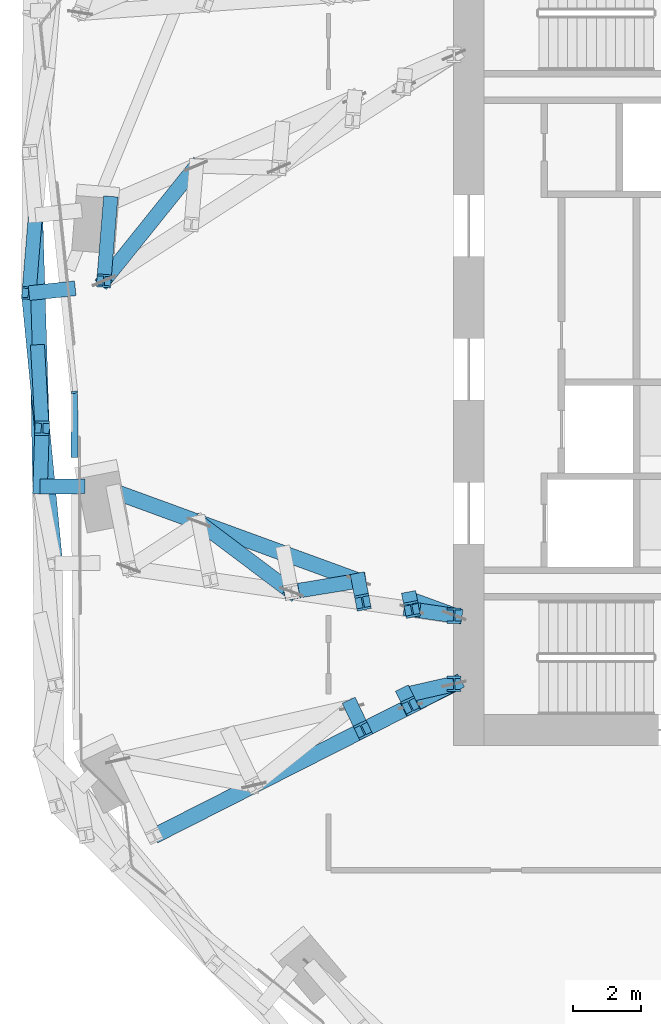
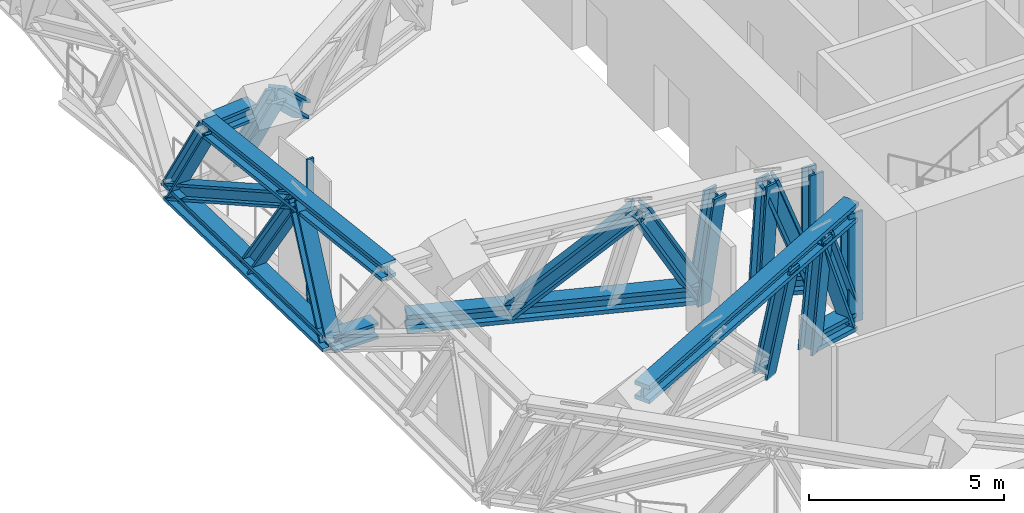
# One storey, part 6 of 27: 26 members, 2 elements without a shape of their own.
"""IFC4 building model written with IfcOpenShell, lengths in metres."""

import ifcopenshell
import ifcopenshell.guid

model = None  # the IFC model being written
_history = None  # IfcOwnerHistory: only IFC2X3 demands one
_inside = {}  # id of a spatial element -> (the spatial element, [elements in it])
_under = {}  # id of a project, library or spatial element -> (it, [spatial elements below it])
_declared = {}  # id of a project -> (the project, [libraries it declares])
_typed = {}  # id of a type object -> (the type object, [elements of that type])
_made_of = {}  # id of a material, layer set ... -> (it, [elements and type objects made of it])


def new_model(schema):
    """Start an empty IFC model of exactly this schema.

    Asked for "IFC4X3", IfcOpenShell would pick the latest addendum, in which some entities
    have other attributes; the version numbers below select the first issue.
    IFC2X3 requires an IfcOwnerHistory on every rooted entity: one is made here for all.
    """
    global model, _history
    if schema == "IFC4X3":
        model = ifcopenshell.file(schema_version=(4, 3, 0, 0))
    else:
        model = ifcopenshell.file(schema=schema)
    _inside.clear()
    _under.clear()
    _declared.clear()
    _typed.clear()
    _made_of.clear()
    _history = None
    if model.schema == "IFC2X3":
        org = make("IfcOrganization", Name="unknown")
        user = make(
            "IfcPersonAndOrganization",
            ThePerson=make("IfcPerson", FamilyName="unknown"),
            TheOrganization=org,
        )
        app = make(
            "IfcApplication",
            ApplicationDeveloper=org,
            Version="unknown",
            ApplicationFullName="unknown",
            ApplicationIdentifier="unknown",
        )
        _history = make(
            "IfcOwnerHistory",
            OwningUser=user,
            OwningApplication=app,
            ChangeAction="ADDED",
            CreationDate=0,
        )
    return model


def make(cls, **values):
    """One entity of the class cls with the attributes given. An attribute that is None is left unset."""
    return model.create_entity(
        cls, **{name: value for name, value in values.items() if value is not None}
    )


def rooted(cls, **values):
    """An entity with a GlobalId (a new one), such as an element, a storey or a relation."""
    return make(cls, GlobalId=ifcopenshell.guid.new(), OwnerHistory=_history, **values)


def si_unit(unit_type, name, prefix=None):
    """IfcSIUnit, for example si_unit("LENGTHUNIT", "METRE", prefix="MILLI")."""
    return make("IfcSIUnit", UnitType=unit_type, Prefix=prefix, Name=name)


def assignment(units):
    """IfcUnitAssignment: the units of a project."""
    return None if units is None else make("IfcUnitAssignment", Units=units)


def point(xyz):
    """IfcCartesianPoint."""
    return None if xyz is None else make("IfcCartesianPoint", Coordinates=xyz)


def direction(xyz):
    """IfcDirection."""
    return None if xyz is None else make("IfcDirection", DirectionRatios=xyz)


def frame(location, z_axis=None, x_axis=None):
    """IfcAxis2Placement3D, a coordinate frame: its origin and axes. An axis left out is left unset."""
    return make(
        "IfcAxis2Placement3D",
        Location=point(location),
        Axis=direction(z_axis),
        RefDirection=direction(x_axis),
    )


def frame_2d(location, x_axis=None):
    """IfcAxis2Placement2D, a coordinate frame in the plane: its origin and x axis."""
    return make(
        "IfcAxis2Placement2D", Location=point(location), RefDirection=direction(x_axis)
    )


def origin():
    """The frame at (0, 0, 0) with its axes left unset."""
    return frame((0.0, 0.0, 0.0))


def origin_2d():
    """The frame at (0, 0) in the plane with its x axis left unset."""
    return frame_2d((0.0, 0.0))


def place(relative_to, where):
    """IfcLocalPlacement: puts the frame where relative to a parent placement (None: the world)."""
    return make(
        "IfcLocalPlacement", PlacementRelTo=relative_to, RelativePlacement=where
    )


def context(
    kind, dimensions, precision=None, world=None, true_north=None, identifier=None
):
    """IfcGeometricRepresentationContext, for example the 3D "Model" context."""
    return make(
        "IfcGeometricRepresentationContext",
        ContextIdentifier=identifier,
        ContextType=kind,
        CoordinateSpaceDimension=dimensions,
        Precision=precision,
        WorldCoordinateSystem=world,
        TrueNorth=true_north,
    )


def subcontext(parent, identifier, kind, view, scale=None):
    """IfcGeometricRepresentationSubContext, for example "Body" below "Model"."""
    return make(
        "IfcGeometricRepresentationSubContext",
        ContextIdentifier=identifier,
        ContextType=kind,
        ParentContext=parent,
        TargetScale=scale,
        TargetView=view,
    )


def project(units=None, contexts=None):
    """IfcProject with its units and contexts."""
    return rooted(
        "IfcProject",
        Name="project",
        RepresentationContexts=contexts,
        UnitsInContext=assignment(units),
    )


def spatial(cls, under=None, at=None, **own):
    """A site, building, storey or space (cls), placed at a placement, below another one or the project."""
    s = rooted(cls, ObjectPlacement=at, **own)
    if under is not None:
        _under.setdefault(under.id(), (under, []))[1].append(s)
    return s


def profile(cls, at=None, kind="AREA", **sizes):
    """A parametric profile (cls). Its sizes go by their IFC names, for example OverallWidth=200.0."""
    return make(cls, ProfileType=kind, Position=at, **sizes)


def rectangle(**sizes):
    """IfcRectangleProfileDef."""
    return profile("IfcRectangleProfileDef", **sizes)


def i_section(**sizes):
    """IfcIShapeProfileDef."""
    return profile("IfcIShapeProfileDef", **sizes)


def extrude(swept, where, along, depth):
    """IfcExtrudedAreaSolid: the profile swept, set in the frame where, extruded along a direction by depth."""
    return make(
        "IfcExtrudedAreaSolid",
        SweptArea=swept,
        Position=where,
        ExtrudedDirection=direction(along),
        Depth=depth,
    )


def shape(context_of_items, identifier, shape_type, items):
    """IfcShapeRepresentation: the items that make up one representation, for example the "Body"."""
    return make(
        "IfcShapeRepresentation",
        ContextOfItems=context_of_items,
        RepresentationIdentifier=identifier,
        RepresentationType=shape_type,
        Items=items,
    )


def material(Name=None, Category=None):
    """IfcMaterial."""
    return make("IfcMaterial", Name=Name, Category=Category)


def material_profile(
    of_material, cross_section, Name=None, Category=None, Priority=None
):
    """IfcMaterialProfile: a cross section and its material."""
    return make(
        "IfcMaterialProfile",
        Name=Name,
        Material=of_material,
        Profile=cross_section,
        Priority=Priority,
        Category=Category,
    )


def profile_set(profiles, Name=None, composite=None):
    """IfcMaterialProfileSet."""
    return make(
        "IfcMaterialProfileSet",
        Name=Name,
        MaterialProfiles=profiles,
        CompositeProfile=composite,
    )


def made_of(thing, what):
    """Note that an element or type object is made of a material, layer set ...; save() writes the relation."""
    if what is not None:
        _made_of.setdefault(what.id(), (what, []))[1].append(thing)
    return thing


def type_object(cls, material=None, **own):
    """A type object (cls), such as IfcWallType, which elements share."""
    return made_of(rooted(cls, **own), material)


def element(
    cls,
    number,
    at=None,
    inside=None,
    cuts=None,
    type_object=None,
    material=None,
    context=None,
    identifier="Body",
    shape_type=None,
    held_by="IfcProductDefinitionShape",
    body=None,
    shapes=None,
    **own,
):
    """One element of the class cls, such as IfcWall. Its Tag is "e" and its number.

    at: its placement. inside: the storey or other place that contains it. cuts: it is an
    opening in that element (IfcRelVoidsElement). A single representation is given by context,
    identifier, shape_type and body (its items); several are given by shapes. held_by: the class
    of the entity that holds the representations. save() writes the other relations.
    """
    e = rooted(cls, Tag="e%d" % number, ObjectPlacement=at, **own)
    if body is not None:
        shapes = [shape(context, identifier, shape_type, body)]
    if shapes is not None:
        e.Representation = make(held_by, Representations=shapes)
    if inside is not None:
        _inside.setdefault(inside.id(), (inside, []))[1].append(e)
    if cuts is not None:
        rooted(
            "IfcRelVoidsElement", RelatingBuildingElement=cuts, RelatedOpeningElement=e
        )
    if type_object is not None:
        _typed.setdefault(type_object.id(), (type_object, []))[1].append(e)
    return made_of(e, material)


def aggregate(whole, parts):
    """IfcRelAggregates: a whole, such as a stair, and the parts it consists of."""
    return rooted("IfcRelAggregates", RelatingObject=whole, RelatedObjects=parts)


def save(model, path):
    """Write the relations noted so far, then the file.

    IfcRelAggregates (storeys below a building ...), IfcRelContainedInSpatialStructure (elements
    in a storey), IfcRelDefinesByType, IfcRelAssociatesMaterial and IfcRelDeclares: one each for
    every whole, place, type object, material and project.
    """
    for whole, parts in _under.values():
        aggregate(whole, parts)
    for where, things in _inside.values():
        rooted(
            "IfcRelContainedInSpatialStructure",
            RelatedElements=things,
            RelatingStructure=where,
        )
    for kind, things in _typed.values():
        rooted("IfcRelDefinesByType", RelatedObjects=things, RelatingType=kind)
    for what, things in _made_of.values():
        rooted("IfcRelAssociatesMaterial", RelatedObjects=things, RelatingMaterial=what)
    for by, libraries in _declared.values():
        rooted("IfcRelDeclares", RelatingContext=by, RelatedDefinitions=libraries)
    model.write(path)


model = new_model("IFC4")

# Units and contexts
model_context = context("Model", 3, precision=1e-05, world=origin(), true_north=direction((0.0, 1.0)))
body_context = subcontext(model_context, "Body", "Model", "MODEL_VIEW")
ifc_project = project(units=[si_unit("LENGTHUNIT", "METRE"), si_unit("AREAUNIT", "SQUARE_METRE"), si_unit("VOLUMEUNIT", "CUBIC_METRE"), si_unit("PLANEANGLEUNIT", "RADIAN"), si_unit("MASSUNIT", "GRAM", prefix="KILO")], contexts=[model_context])

# Site, building, storey
site_placement = place(None, origin())
site = spatial("IfcSite", under=ifc_project, at=site_placement, CompositionType="ELEMENT")
building_placement = place(site_placement, origin())
building = spatial("IfcBuilding", under=site, at=building_placement, Name="Orlundy Tower", CompositionType="ELEMENT")
storey_placement = place(building_placement, frame((0.0, 0.0, 206.10009765625)))
storey = spatial("IfcBuildingStorey", under=building, at=storey_placement, Name="L54", CompositionType="ELEMENT", Elevation=206.10009765625)

# Members
ifc_material_1 = material(Name="Steel ASTM A992 Gr 50", Category="steel")
ifc_material_profile_1 = material_profile(ifc_material_1, i_section(OverallWidth=0.4423828125, OverallDepth=0.531494140625, WebThickness=0.06591796875, FlangeThickness=0.105712890625, at=origin_2d()), Name="W14X605")
ifc_profile_set_1 = profile_set([ifc_material_profile_1], Name="Steel ASTM A992 Gr 50")
member_type_1 = type_object("IfcMemberType", Name="BELT TRUSS chord W14X605", PredefinedType="CHORD", material=ifc_profile_set_1)
member_1_placement = place(storey_placement, frame((-31.226318359375, 3.510986328125, 0.28466796875), z_axis=(0.017560038074, -0.999845810644, 0.0), x_axis=(0.999845810644, 0.017560038074, 0.0)))
element("IfcMember", 1, at=member_1_placement, inside=storey, type_object=member_type_1, Name="Belt truss bottom chord BT-24A", PredefinedType="CHORD", context=body_context, shape_type="SweptSolid", body=[
    extrude(i_section(OverallWidth=0.4423828125, OverallDepth=0.531494140625, WebThickness=0.06591796875, FlangeThickness=0.105712890625, at=origin_2d()), origin(), (0.0, 0.0, 1.0), 7.938720703125),
])
member_2_placement = place(storey_placement, frame((-31.41357421875, 1.231201171875, 3.715087890625), z_axis=(0.096209223573, -0.995361133107, 0.0), x_axis=(0.995361133107, 0.096209223573, 0.0)))
element("IfcMember", 2, at=member_2_placement, inside=storey, type_object=member_type_1, Name="Belt truss top chord BT-24A", PredefinedType="CHORD", context=body_context, shape_type="SweptSolid", body=[
    extrude(i_section(OverallWidth=0.4423828125, OverallDepth=0.531494140625, WebThickness=0.06591796875, FlangeThickness=0.105712890625, at=origin_2d()), origin(), (0.0, 0.0, 1.0), 7.940185546875),
])
ifc_material_2 = material(Name="Steel ASTM A992 Gr 50", Category="steel")
ifc_material_profile_2 = material_profile(ifc_material_2, i_section(OverallWidth=0.42431640625, OverallDepth=0.47412109375, WebThickness=0.0478515625, FlangeThickness=0.0771484375, at=origin_2d()), Name="W14X426")
ifc_profile_set_2 = profile_set([ifc_material_profile_2], Name="Steel ASTM A992 Gr 50")
member_type_2 = type_object("IfcMemberType", Name="BELT TRUSS diagonal W14X426", PredefinedType="BRACE", material=ifc_profile_set_2)
member_3_placement = place(storey_placement, frame((-31.226318359375, 3.510986328125, 0.28466796875), z_axis=(0.027378551593, -0.87570194342, 0.482075223593), x_axis=(0.999511617525, 0.031249422927, 0.0)))
element("IfcMember", 3, at=member_3_placement, inside=storey, type_object=member_type_2, Name="Belt truss diagonal BT-24A-0", PredefinedType="BRACE", context=body_context, shape_type="SweptSolid", body=[
    extrude(i_section(OverallWidth=0.42431640625, OverallDepth=0.47412109375, WebThickness=0.0478515625, FlangeThickness=0.0771484375, at=origin_2d()), origin(), (0.0, 0.0, 1.0), 7.115966796875),
])
member_4_placement = place(storey_placement, frame((-31.031494140625, -2.720458984375, 3.715087890625), z_axis=(-0.014463755347, -0.44525428355, -0.895287340892), x_axis=(0.999472803665, -0.032467133147, 0.0)))
element("IfcMember", 4, at=member_4_placement, inside=storey, type_object=member_type_2, Name="Belt truss diagonal BT-24A-1", PredefinedType="BRACE", context=body_context, shape_type="SweptSolid", body=[
    extrude(i_section(OverallWidth=0.42431640625, OverallDepth=0.47412109375, WebThickness=0.0478515625, FlangeThickness=0.0771484375, at=origin_2d()), origin(), (0.0, 0.0, 1.0), 3.83154296875),
])
ifc_material_3 = material(Name="Steel ASTM A992 Gr 50", Category="steel")
ifc_material_profile_3 = material_profile(ifc_material_3, i_section(OverallWidth=0.412109375, OverallDepth=0.434814453125, WebThickness=0.035888671875, FlangeThickness=0.057373046875, at=origin_2d()), Name="W14X311")
ifc_profile_set_3 = profile_set([ifc_material_profile_3], Name="Steel ASTM A992 Gr 50")
member_type_3 = type_object("IfcMemberType", Name="BELT TRUSS post W14X311", PredefinedType="POST", material=ifc_profile_set_3)
member_5_placement = place(storey_placement, frame((-31.226318359375, 3.510986328125, 0.28466796875), z_axis=(-0.045415861643, -0.55292479273, 0.831992531875), x_axis=(0.996643688502, -0.081861823633, 0.0)))
element("IfcMember", 5, at=member_5_placement, inside=storey, type_object=member_type_3, Name="Belt truss post BT-23A-2", PredefinedType="POST", context=body_context, shape_type="SweptSolid", body=[
    extrude(i_section(OverallWidth=0.412109375, OverallDepth=0.434814453125, WebThickness=0.035888671875, FlangeThickness=0.057373046875, at=origin_2d()), origin(), (0.0, 0.0, 1.0), 4.123046875),
])
member_6_placement = place(storey_placement, frame((-31.15673828125, -0.4580078125, 0.28466796875), z_axis=(0.030463963936, -0.550311021038, 0.834403815323), x_axis=(0.998471274029, 0.05527309416, 0.0)))
element("IfcMember", 6, at=member_6_placement, inside=storey, type_object=member_type_3, Name="Belt truss post BT-24A-1", PredefinedType="POST", context=body_context, shape_type="SweptSolid", body=[
    extrude(i_section(OverallWidth=0.412109375, OverallDepth=0.434814453125, WebThickness=0.035888671875, FlangeThickness=0.057373046875, at=origin_2d()), origin(), (0.0, 0.0, 1.0), 4.111328125),
])
ifc_material_4 = material(Name="Steel ASTM A992 Gr 50", Category="steel")
ifc_material_profile_4 = material_profile(ifc_material_4, i_section(OverallWidth=0.43212890625, OverallDepth=0.497802734375, WebThickness=0.0556640625, FlangeThickness=0.0888671875, at=origin_2d()), Name="W14X500")
ifc_profile_set_4 = profile_set([ifc_material_profile_4], Name="Steel ASTM A992 Gr 50")
member_type_4 = type_object("IfcMemberType", Name="BELT TRUSS strut W14X500", PredefinedType="STRUT", material=ifc_profile_set_4)
member_7_placement = place(storey_placement, frame((-29.777099609375, -4.4189453125, 0.28466796875), z_axis=(-0.999983306667, -0.005778095528, 0.0), x_axis=(0.005778095528, -0.999983306667, 0.0)))
element("IfcMember", 7, at=member_7_placement, inside=storey, type_object=member_type_4, Name="Belt truss bracket C-H17", PredefinedType="STRUT", context=body_context, shape_type="SweptSolid", body=[
    extrude(i_section(OverallWidth=0.43212890625, OverallDepth=0.497802734375, WebThickness=0.0556640625, FlangeThickness=0.0888671875, at=origin_2d()), origin(), (0.0, 0.0, 1.0), 1.309814453125),
])
member_8_placement = place(storey_placement, frame((-30.060791015625, 1.373291015625, 3.715087890625), z_axis=(-0.994529031212, -0.104460547945, 0.0), x_axis=(0.104460547945, -0.994529031212, 0.0)))
element("IfcMember", 8, at=member_8_placement, inside=storey, type_object=member_type_4, Name="Belt truss bracket C-H18", PredefinedType="STRUT", context=body_context, shape_type="SweptSolid", body=[
    extrude(i_section(OverallWidth=0.43212890625, OverallDepth=0.497802734375, WebThickness=0.0556640625, FlangeThickness=0.0888671875, at=origin_2d()), origin(), (0.0, 0.0, 1.0), 1.360107421875),
])

# Curtain wall, member
ifc_material_5 = material(Name="Aluminium bronze anodised", Category="aluminium")
curtain_wall_type = type_object("IfcCurtainWallType", Name="CW4 wall", PredefinedType="NOTDEFINED", material=ifc_material_5)
curtain_wall_1_placement = place(storey_placement, origin())
curtain_wall_1 = element("IfcCurtainWall", 9, at=curtain_wall_1_placement, inside=storey, type_object=curtain_wall_type, Name="CW4 run 04", PredefinedType="NOTDEFINED")
ifc_material_6 = material(Name="Aluminium bronze anodised", Category="aluminium")
ifc_material_profile_5 = material_profile(ifc_material_6, rectangle(XDim=0.199951171875, YDim=0.06005859375, at=origin_2d()), Name="CW4 mullion 60x200")
ifc_profile_set_5 = profile_set([ifc_material_profile_5], Name="Aluminium bronze anodised")
member_type_5 = type_object("IfcMemberType", Name="CW4 mullion 60x200", PredefinedType="MULLION", material=ifc_profile_set_5)
member_9_placement = place(storey_placement, frame((-30.091064453125, -1.66845703125, -0.4501953125), z_axis=(0.0, 0.0, 1.0), x_axis=(-0.998472299744, -0.055254562201, 0.0)))
member_9 = element("IfcMember", 10, at=member_9_placement, type_object=member_type_5, Name="CW4 mullion 7", PredefinedType="MULLION", context=body_context, shape_type="SweptSolid", body=[
    extrude(rectangle(XDim=0.199951171875, YDim=0.06005859375, at=origin_2d()), origin(), (0.0, 0.0, 1.0), 4.4501953125),
])
aggregate(curtain_wall_1, [member_9])

curtain_wall_2_placement = place(storey_placement, origin())
curtain_wall_2 = element("IfcCurtainWall", 11, at=curtain_wall_2_placement, inside=storey, type_object=curtain_wall_type, Name="CW4 run 03", PredefinedType="NOTDEFINED")
ifc_material_7 = material(Name="Aluminium bronze anodised", Category="aluminium")
ifc_material_profile_6 = material_profile(ifc_material_7, rectangle(XDim=0.199951171875, YDim=0.14990234375, at=origin_2d()), Name="CW4 transom 200x150")
ifc_profile_set_6 = profile_set([ifc_material_profile_6], Name="Aluminium bronze anodised")
member_type_6 = type_object("IfcMemberType", Name="CW4 transom 200x150", PredefinedType="USERDEFINED", material=ifc_profile_set_6)
member_10_placement = place(storey_placement, frame((-30.079833984375, -3.57373046875, -0.375), z_axis=(-0.005858511619, 0.999982838774, 0.0), x_axis=(-0.999982838774, -0.005858511619, 0.0)))
member_10 = element("IfcMember", 12, at=member_10_placement, type_object=member_type_6, Name="CW4 transom", ObjectType="TRANSOM", PredefinedType="USERDEFINED", context=body_context, shape_type="SweptSolid", body=[
    extrude(rectangle(XDim=0.199951171875, YDim=0.14990234375, at=origin_2d()), origin(), (0.0, 0.0, 1.0), 1.875244140625),
])
aggregate(curtain_wall_2, [member_10])

# Members
ifc_material_8 = material(Name="Steel ASTM A992 Gr 50", Category="steel")
ifc_material_profile_7 = material_profile(ifc_material_8, i_section(OverallWidth=0.454345703125, OverallDepth=0.569580078125, WebThickness=0.077880859375, FlangeThickness=0.124755859375, at=origin_2d()), Name="W14X730")
ifc_profile_set_7 = profile_set([ifc_material_profile_7], Name="Steel ASTM A992 Gr 50")
member_type_7 = type_object("IfcMemberType", Name="OUTRIGGER TRUSS chord W14X730", PredefinedType="CHORD", material=ifc_profile_set_7)
member_11_placement = place(storey_placement, frame((-18.97998046875, -10.199951171875, 0.28466796875), z_axis=(-0.975136131656, -0.221606689291, 0.0), x_axis=(0.221606689291, -0.975136131656, 0.0)))
element("IfcMember", 13, at=member_11_placement, inside=storey, type_object=member_type_7, Name="Outrigger truss bottom chord OR-W-C-H16", PredefinedType="CHORD", context=body_context, shape_type="SweptSolid", body=[
    extrude(i_section(OverallWidth=0.454345703125, OverallDepth=0.569580078125, WebThickness=0.077880859375, FlangeThickness=0.124755859375, at=origin_2d()), origin(), (0.0, 0.0, 1.0), 1.464111328125),
])
member_12_placement = place(storey_placement, frame((-18.97998046875, -10.199951171875, 3.715087890625), z_axis=(-0.891970906458, -0.452092802455, 0.0), x_axis=(0.452092802455, -0.891970906458, 0.0)))
element("IfcMember", 14, at=member_12_placement, inside=storey, type_object=member_type_7, Name="Outrigger truss top chord OR-W-C-H16", PredefinedType="CHORD", context=body_context, shape_type="SweptSolid", body=[
    extrude(i_section(OverallWidth=0.454345703125, OverallDepth=0.569580078125, WebThickness=0.077880859375, FlangeThickness=0.124755859375, at=origin_2d()), origin(), (0.0, 0.0, 1.0), 9.833740234375),
])
member_13_placement = place(storey_placement, frame((-18.97998046875, -8.199951171875, 0.28466796875), z_axis=(-0.939345481907, 0.342972397754, 0.0), x_axis=(-0.342972397754, -0.939345481907, 0.0)))
element("IfcMember", 15, at=member_13_placement, inside=storey, type_object=member_type_7, Name="Outrigger truss bottom chord OR-W-C-H17", PredefinedType="CHORD", context=body_context, shape_type="SweptSolid", body=[
    extrude(i_section(OverallWidth=0.454345703125, OverallDepth=0.569580078125, WebThickness=0.077880859375, FlangeThickness=0.124755859375, at=origin_2d()), origin(), (0.0, 0.0, 1.0), 1.37109375),
])
member_14_placement = place(storey_placement, frame((-21.770751953125, -7.180908203125, 0.28466796875), z_axis=(-0.939303247781, 0.34308804804, 0.0), x_axis=(-0.34308804804, -0.939303247781, 0.0)))
element("IfcMember", 16, at=member_14_placement, inside=storey, type_object=member_type_7, Name="Outrigger truss bottom chord OR-W-C-H172", PredefinedType="CHORD", context=body_context, shape_type="SweptSolid", body=[
    extrude(i_section(OverallWidth=0.454345703125, OverallDepth=0.569580078125, WebThickness=0.077880859375, FlangeThickness=0.124755859375, at=origin_2d()), origin(), (0.0, 0.0, 1.0), 7.62060546875),
])
ifc_material_9 = material(Name="Steel ASTM A992 Gr 50", Category="steel")
ifc_material_profile_8 = material_profile(ifc_material_9, i_section(OverallWidth=0.43212890625, OverallDepth=0.497802734375, WebThickness=0.0556640625, FlangeThickness=0.0888671875, at=origin_2d()), Name="W14X500")
ifc_profile_set_8 = profile_set([ifc_material_profile_8], Name="Steel ASTM A992 Gr 50")
member_type_8 = type_object("IfcMemberType", Name="OUTRIGGER TRUSS diagonal W14X500", PredefinedType="BRACE", material=ifc_profile_set_8)
member_15_placement = place(storey_placement, frame((-18.97998046875, -10.199951171875, 0.28466796875), z_axis=(-0.342722060854, -0.173726443424, 0.923233833793), x_axis=(0.452131699988, -0.891951190294, 0.0)))
element("IfcMember", 17, at=member_15_placement, inside=storey, type_object=member_type_8, Name="Outrigger truss diagonal OR-W-C-H16-0", PredefinedType="BRACE", context=body_context, shape_type="SweptSolid", body=[
    extrude(i_section(OverallWidth=0.43212890625, OverallDepth=0.497802734375, WebThickness=0.0556640625, FlangeThickness=0.0888671875, at=origin_2d()), origin(), (0.0, 0.0, 1.0), 3.715576171875),
])
member_16_placement = place(storey_placement, frame((-18.97998046875, -8.199951171875, 0.28466796875), z_axis=(-0.337398660327, 0.049241604997, 0.940073086705), x_axis=(-0.144414965274, -0.989517214507, 0.0)))
element("IfcMember", 18, at=member_16_placement, inside=storey, type_object=member_type_8, Name="Outrigger truss diagonal OR-W-C-H17-0", PredefinedType="BRACE", context=body_context, shape_type="SweptSolid", body=[
    extrude(i_section(OverallWidth=0.43212890625, OverallDepth=0.497802734375, WebThickness=0.0556640625, FlangeThickness=0.0888671875, at=origin_2d()), origin(), (0.0, 0.0, 1.0), 3.649169921875),
])
member_17_placement = place(storey_placement, frame((-21.770751953125, -7.180908203125, 0.28466796875), z_axis=(-0.495345991542, -0.081921659386, 0.864824369677), x_axis=(0.163166339659, -0.986598573687, 0.0)))
element("IfcMember", 19, at=member_17_placement, inside=storey, type_object=member_type_8, Name="Outrigger truss diagonal OR-W-C-H17-2", PredefinedType="BRACE", context=body_context, shape_type="SweptSolid", body=[
    extrude(i_section(OverallWidth=0.43212890625, OverallDepth=0.497802734375, WebThickness=0.0556640625, FlangeThickness=0.0888671875, at=origin_2d()), origin(), (0.0, 0.0, 1.0), 3.966552734375),
])
member_18_placement = place(storey_placement, frame((-23.735595703125, -7.505859375, 3.715087890625), z_axis=(-0.561626473002, 0.421523874856, -0.711964414665), x_axis=(-0.60027704826, -0.799792138829, 0.0)))
element("IfcMember", 20, at=member_18_placement, inside=storey, type_object=member_type_8, Name="Outrigger truss diagonal OR-W-C-H17-3", PredefinedType="BRACE", context=body_context, shape_type="SweptSolid", body=[
    extrude(i_section(OverallWidth=0.43212890625, OverallDepth=0.497802734375, WebThickness=0.0556640625, FlangeThickness=0.0888671875, at=origin_2d()), origin(), (0.0, 0.0, 1.0), 4.818359375),
])
member_19_placement = place(storey_placement, frame((-26.5224609375, 4.953857421875, 0.28466796875), z_axis=(-0.490217507425, -0.610058298892, 0.622507564105), x_axis=(0.779513870694, -0.626384965812, 0.0)))
element("IfcMember", 21, at=member_19_placement, inside=storey, type_object=member_type_8, Name="Outrigger truss diagonal OR-W-C-H18-4", PredefinedType="BRACE", context=body_context, shape_type="SweptSolid", body=[
    extrude(i_section(OverallWidth=0.43212890625, OverallDepth=0.497802734375, WebThickness=0.0556640625, FlangeThickness=0.0888671875, at=origin_2d()), origin(), (0.0, 0.0, 1.0), 5.5107421875),
])
ifc_material_10 = material(Name="Steel ASTM A992 Gr 50", Category="steel")
ifc_material_profile_9 = material_profile(ifc_material_10, i_section(OverallWidth=0.41845703125, OverallDepth=0.455078125, WebThickness=0.0419921875, FlangeThickness=0.067626953125, at=origin_2d()), Name="W14X370")
ifc_profile_set_9 = profile_set([ifc_material_profile_9], Name="Steel ASTM A992 Gr 50")
member_type_9 = type_object("IfcMemberType", Name="OUTRIGGER TRUSS post W14X370", PredefinedType="POST", material=ifc_profile_set_9)
member_20_placement = place(storey_placement, frame((-18.97998046875, -10.199951171875, 0.28466796875), z_axis=(0.0, 0.0, 1.0), x_axis=(1.0, 0.0, 0.0)))
element("IfcMember", 22, at=member_20_placement, inside=storey, type_object=member_type_9, Name="Outrigger truss post OR-W-C-H16-0", PredefinedType="POST", context=body_context, shape_type="SweptSolid", body=[
    extrude(i_section(OverallWidth=0.41845703125, OverallDepth=0.455078125, WebThickness=0.0419921875, FlangeThickness=0.067626953125, at=origin_2d()), origin(), (0.0, 0.0, 1.0), 3.430419921875),
])
member_21_placement = place(storey_placement, frame((-20.40771484375, -10.5244140625, 0.0), z_axis=(0.041342903556, -0.086022022431, 0.995435068692), x_axis=(0.90130903644, 0.43317666238, 0.0)))
element("IfcMember", 23, at=member_21_placement, inside=storey, type_object=member_type_9, Name="Outrigger truss post OR-W-C-H16-1", PredefinedType="POST", context=body_context, shape_type="SweptSolid", body=[
    extrude(i_section(OverallWidth=0.41845703125, OverallDepth=0.455078125, WebThickness=0.0419921875, FlangeThickness=0.067626953125, at=origin_2d()), origin(), (0.0, 0.0, 1.0), 3.732177734375),
])
member_22_placement = place(storey_placement, frame((-21.9677734375, -10.879150390625, 0.0), z_axis=(0.085179992608, -0.177254281139, 0.980471972408), x_axis=(0.901328685261, 0.433135776778, 0.0)))
element("IfcMember", 24, at=member_22_placement, inside=storey, type_object=member_type_9, Name="Outrigger truss post OR-W-C-H16-2", PredefinedType="POST", context=body_context, shape_type="SweptSolid", body=[
    extrude(i_section(OverallWidth=0.41845703125, OverallDepth=0.455078125, WebThickness=0.0419921875, FlangeThickness=0.067626953125, at=origin_2d()), origin(), (0.0, 0.0, 1.0), 3.7890625),
])
member_23_placement = place(storey_placement, frame((-18.97998046875, -8.199951171875, 0.28466796875), z_axis=(0.0, 0.0, 1.0), x_axis=(1.0, 0.0, 0.0)))
element("IfcMember", 25, at=member_23_placement, inside=storey, type_object=member_type_9, Name="Outrigger truss post OR-W-C-H17-0", PredefinedType="POST", context=body_context, shape_type="SweptSolid", body=[
    extrude(i_section(OverallWidth=0.41845703125, OverallDepth=0.455078125, WebThickness=0.0419921875, FlangeThickness=0.067626953125, at=origin_2d()), origin(), (0.0, 0.0, 1.0), 3.430419921875),
])
member_24_placement = place(storey_placement, frame((-20.267822265625, -7.729736328125, 0.0), z_axis=(0.015197944378, -0.077954973319, 0.996841032774), x_axis=(0.981520830598, 0.191355321596, 0.0)))
element("IfcMember", 26, at=member_24_placement, inside=storey, type_object=member_type_9, Name="Outrigger truss post OR-W-C-H17-1", PredefinedType="POST", context=body_context, shape_type="SweptSolid", body=[
    extrude(i_section(OverallWidth=0.41845703125, OverallDepth=0.455078125, WebThickness=0.0419921875, FlangeThickness=0.067626953125, at=origin_2d()), origin(), (0.0, 0.0, 1.0), 3.726806640625),
])
member_25_placement = place(storey_placement, frame((-21.770751953125, -7.180908203125, 0.0), z_axis=(0.032573092751, -0.167009952692, 0.985417002761), x_axis=(0.981506291588, 0.191429881609, 0.0)))
element("IfcMember", 27, at=member_25_placement, inside=storey, type_object=member_type_9, Name="Outrigger truss post OR-W-C-H17-2", PredefinedType="POST", context=body_context, shape_type="SweptSolid", body=[
    extrude(i_section(OverallWidth=0.41845703125, OverallDepth=0.455078125, WebThickness=0.0419921875, FlangeThickness=0.067626953125, at=origin_2d()), origin(), (0.0, 0.0, 1.0), 3.77001953125),
])
member_26_placement = place(storey_placement, frame((-29.03662109375, 3.87158203125, 0.28466796875), z_axis=(-0.04541734855, -0.552883681115, 0.832019771163), x_axis=(0.996642973153, -0.081870532335, 0.0)))
element("IfcMember", 28, at=member_26_placement, inside=storey, type_object=member_type_9, Name="Outrigger truss post OR-W-C-H18-5", PredefinedType="POST", context=body_context, shape_type="SweptSolid", body=[
    extrude(i_section(OverallWidth=0.41845703125, OverallDepth=0.455078125, WebThickness=0.0419921875, FlangeThickness=0.067626953125, at=origin_2d()), origin(), (0.0, 0.0, 1.0), 4.123046875),
])

save(model, "model.ifc")
